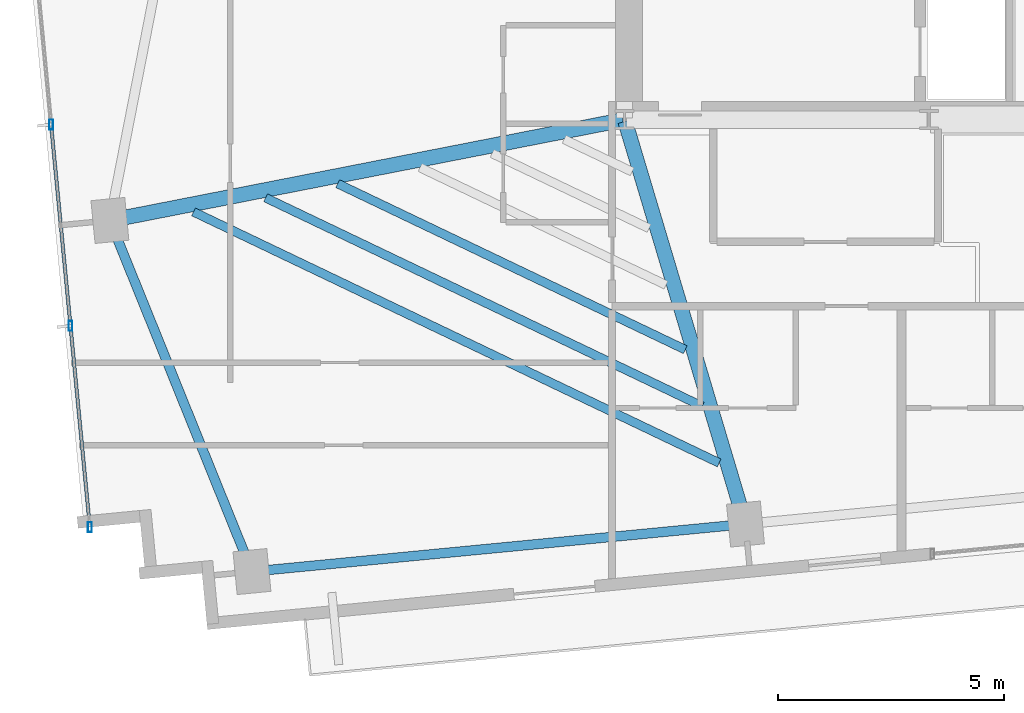
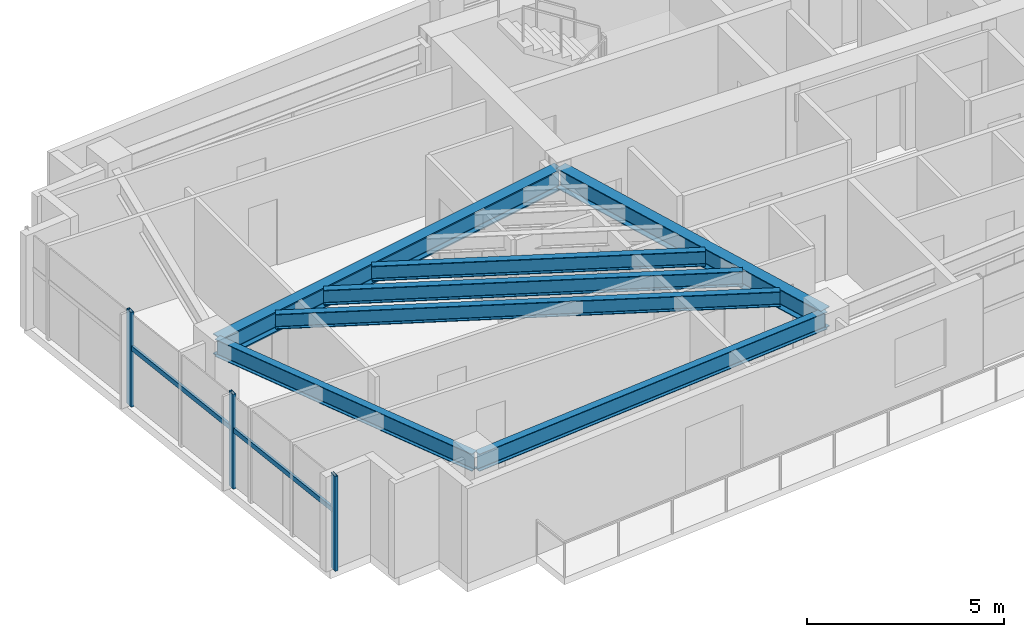
# One storey, part 2 of 18: 7 beams, 5 members, 1 element without a shape of its own.
"""IFC4 building model written with IfcOpenShell, lengths in metres."""

from ifc_helpers import new_model, si_unit, direction, frame, origin, origin_2d, place, context, subcontext, project, spatial, hollow_rectangle, i_section, extrude, source, transform, mapped, material, material_profile, profile_set, type_object, type_shapes, element, aggregate, save


model = new_model("IFC4")

# Units and contexts
model_context = context("Model", 3, precision=1e-05, world=origin(), true_north=direction((0.0, 1.0)))
body_context = subcontext(model_context, "Body", "Model", "MODEL_VIEW")
ifc_project = project(units=[si_unit("LENGTHUNIT", "METRE"), si_unit("AREAUNIT", "SQUARE_METRE"), si_unit("VOLUMEUNIT", "CUBIC_METRE"), si_unit("PLANEANGLEUNIT", "RADIAN"), si_unit("MASSUNIT", "GRAM", prefix="KILO")], contexts=[model_context])

# Site, building, storey
site_placement = place(None, origin())
site = spatial("IfcSite", under=ifc_project, at=site_placement, CompositionType="ELEMENT")
building_placement = place(site_placement, origin())
building = spatial("IfcBuilding", under=site, at=building_placement, Name="Astriad Promenade Condominiums", CompositionType="ELEMENT")
storey_placement = place(building_placement, frame((0.0, 0.0, 192.199951171875)))
storey = spatial("IfcBuildingStorey", under=building, at=storey_placement, Name="L55", CompositionType="ELEMENT", Elevation=192.199951171875)

# Beams
ifc_material_1 = material(Name="Steel ASTM A992 Grade 50", Category="steel")
ifc_material_profile_1 = material_profile(ifc_material_1, i_section(OverallWidth=0.210693359375, OverallDepth=0.53955078125, WebThickness=0.01171875, FlangeThickness=0.018798828125, FilletRadius=0.0166015625, at=origin_2d()), Name="W21X73")
ifc_profile_set_1 = profile_set([ifc_material_profile_1], Name="Steel ASTM A992 Grade 50")
beam_type_1 = type_object("IfcBeamType", Name="STEEL SPANDREL BEAM W21X73", PredefinedType="SPANDREL", material=ifc_profile_set_1)
shared_shape_1 = source(origin(), body_context, "Body", "SweptSolid", [
    extrude(i_section(OverallWidth=0.210693359375, OverallDepth=0.53955078125, WebThickness=0.01171875, FlangeThickness=0.018798828125, FilletRadius=0.0166015625, at=origin_2d()), origin(), (0.0, 0.0, 1.0), 10.8701171875),
])
beam_1_placement = place(storey_placement, frame((18.209228515625, 7.421630859375, 2.670166015625), z_axis=(0.995394986184, 0.09585834069, 0.0), x_axis=(-0.09585834069, 0.995394986184, 0.0)))
element("IfcBeam", 1, at=beam_1_placement, inside=storey, type_object=beam_type_1, Name="Perimeter Spandrel Beam SP-S1-L55", PredefinedType="SPANDREL", context=body_context, shape_type="MappedRepresentation", body=[
    mapped(shared_shape_1, transform((0.0, 0.0, 0.0), scale=1.0)),
])
shared_shape_2 = source(origin(), body_context, "Body", "SweptSolid", [
    extrude(i_section(OverallWidth=0.210693359375, OverallDepth=0.53955078125, WebThickness=0.01171875, FlangeThickness=0.018798828125, FilletRadius=0.0166015625, at=origin_2d()), origin(), (0.0, 0.0, 1.0), 8.28564453125),
])
type_shapes(beam_type_1, [shared_shape_1, shared_shape_2])
beam_2_placement = place(storey_placement, frame((15.046875, 15.1357421875, 2.670166015625), z_axis=(0.375070987134, -0.926996092014, 0.0), x_axis=(0.926996092014, 0.375070987134, 0.0)))
element("IfcBeam", 2, at=beam_2_placement, inside=storey, type_object=beam_type_1, Name="Perimeter Spandrel Beam SP-W1-L55", PredefinedType="SPANDREL", context=body_context, shape_type="MappedRepresentation", body=[
    mapped(shared_shape_2, transform((0.0, 0.0, 0.0), scale=1.0)),
])
ifc_material_profile_2 = material_profile(ifc_material_1, i_section(OverallWidth=0.327392578125, OverallDepth=0.640625, WebThickness=0.01904296875, FlangeThickness=0.033935546875, FilletRadius=0.017822265625, at=origin_2d()), Name="W24X176")
ifc_profile_set_2 = profile_set([ifc_material_profile_2], Name="Steel ASTM A992 Grade 50")
beam_type_2 = type_object("IfcBeamType", Name="STEEL FLOOR GIRDER W24X176", PredefinedType="BEAM", material=ifc_profile_set_2)
shared_shape_3 = source(origin(), body_context, "Body", "SweptSolid", [
    extrude(i_section(OverallWidth=0.327392578125, OverallDepth=0.640625, WebThickness=0.01904296875, FlangeThickness=0.033935546875, FilletRadius=0.017822265625, at=origin_2d()), origin(), (0.0, 0.0, 1.0), 11.504150390625),
])
type_shapes(beam_type_2, [shared_shape_3])
beam_3_placement = place(storey_placement, frame((15.071044921875, 15.1806640625, 2.61962890625), z_axis=(0.981346028441, 0.192249765833, 0.0), x_axis=(-0.192249765833, 0.981346028441, 0.0)))
element("IfcBeam", 3, at=beam_3_placement, inside=storey, type_object=beam_type_2, Name="Primary Floor Girder PG-WM-L55", PredefinedType="BEAM", context=body_context, shape_type="MappedRepresentation", body=[
    mapped(shared_shape_3, transform((0.0, 0.0, 0.0), scale=1.0)),
])
ifc_material_profile_3 = material_profile(ifc_material_1, i_section(OverallWidth=0.326416015625, OverallDepth=0.621826171875, WebThickness=0.015380859375, FlangeThickness=0.0244140625, FilletRadius=0.017822265625, at=origin_2d()), Name="W24X131")
ifc_profile_set_3 = profile_set([ifc_material_profile_3], Name="Steel ASTM A992 Grade 50")
beam_type_3 = type_object("IfcBeamType", Name="STEEL FLOOR GIRDER W24X131", PredefinedType="BEAM", material=ifc_profile_set_3)
shared_shape_4 = source(origin(), body_context, "Body", "SweptSolid", [
    extrude(i_section(OverallWidth=0.326416015625, OverallDepth=0.621826171875, WebThickness=0.015380859375, FlangeThickness=0.0244140625, FilletRadius=0.017822265625, at=origin_2d()), origin(), (0.0, 0.0, 1.0), 9.242919921875),
])
type_shapes(beam_type_3, [shared_shape_4])
beam_4_placement = place(storey_placement, frame((29.0576171875, 8.505615234375, 2.629150390625), z_axis=(-0.286269354745, 0.958149182818, 0.0), x_axis=(-0.958149182818, -0.286269354745, 0.0)))
element("IfcBeam", 4, at=beam_4_placement, inside=storey, type_object=beam_type_3, Name="Primary Floor Girder PG-W2-L55", PredefinedType="BEAM", context=body_context, shape_type="MappedRepresentation", body=[
    mapped(shared_shape_4, transform((0.0, 0.0, 0.0), scale=1.0)),
])
ifc_material_profile_4 = material_profile(ifc_material_1, i_section(OverallWidth=0.19287109375, OverallDepth=0.466064453125, WebThickness=0.011474609375, FlangeThickness=0.01904296875, FilletRadius=0.01513671875, at=origin_2d()), Name="W18X65")
ifc_profile_set_4 = profile_set([ifc_material_profile_4], Name="Steel ASTM A992 Grade 50")
beam_type_4 = type_object("IfcBeamType", Name="STEEL FLOOR JOIST W18X65", PredefinedType="JOIST", material=ifc_profile_set_4)
shared_shape_5 = source(origin(), body_context, "Body", "SweptSolid", [
    extrude(i_section(OverallWidth=0.19287109375, OverallDepth=0.466064453125, WebThickness=0.011474609375, FlangeThickness=0.01904296875, FilletRadius=0.01513671875, at=origin_2d()), origin(), (0.0, 0.0, 1.0), 12.864013671875),
])
beam_5_placement = place(storey_placement, frame((16.8798828125, 15.362060546875, 2.70703125), z_axis=(0.902332932985, -0.431039763886, 0.0), x_axis=(0.431039763886, 0.902332932985, 0.0)))
element("IfcBeam", 5, at=beam_5_placement, inside=storey, type_object=beam_type_4, Name="Secondary Composite Floor Joist JW1-1-L55", PredefinedType="JOIST", context=body_context, shape_type="MappedRepresentation", body=[
    mapped(shared_shape_5, transform((0.0, 0.0, 0.0), scale=1.0)),
])
shared_shape_6 = source(origin(), body_context, "Body", "SweptSolid", [
    extrude(i_section(OverallWidth=0.19287109375, OverallDepth=0.466064453125, WebThickness=0.011474609375, FlangeThickness=0.01904296875, FilletRadius=0.01513671875, at=origin_2d()), origin(), (0.0, 0.0, 1.0), 10.686279296875),
])
beam_6_placement = place(storey_placement, frame((18.471435546875, 15.673828125, 2.70703125), z_axis=(0.902342124644, -0.431020521661, 0.0), x_axis=(0.431020521661, 0.902342124644, 0.0)))
element("IfcBeam", 6, at=beam_6_placement, inside=storey, type_object=beam_type_4, Name="Secondary Composite Floor Joist JW1-2-L55", PredefinedType="JOIST", context=body_context, shape_type="MappedRepresentation", body=[
    mapped(shared_shape_6, transform((0.0, 0.0, 0.0), scale=1.0)),
])
shared_shape_7 = source(origin(), body_context, "Body", "SweptSolid", [
    extrude(i_section(OverallWidth=0.19287109375, OverallDepth=0.466064453125, WebThickness=0.011474609375, FlangeThickness=0.01904296875, FilletRadius=0.01513671875, at=origin_2d()), origin(), (0.0, 0.0, 1.0), 8.508056640625),
])
type_shapes(beam_type_4, [shared_shape_5, shared_shape_6, shared_shape_7])
beam_7_placement = place(storey_placement, frame((20.06298828125, 15.985595703125, 2.70703125), z_axis=(0.902339530667, -0.431025952113, 0.0), x_axis=(0.431025952113, 0.902339530667, 0.0)))
element("IfcBeam", 7, at=beam_7_placement, inside=storey, type_object=beam_type_4, Name="Secondary Composite Floor Joist JW1-3-L55", PredefinedType="JOIST", context=body_context, shape_type="MappedRepresentation", body=[
    mapped(shared_shape_7, transform((0.0, 0.0, 0.0), scale=1.0)),
])

# Curtain wall, members
ifc_material_2 = material(Name="Anodised aluminium Black Dark Glass Unitised", Category="aluminium")
curtain_wall_type = type_object("IfcCurtainWallType", Name="CW-B34-DARK", PredefinedType="USERDEFINED", material=ifc_material_2)
curtain_wall_placement = place(storey_placement, origin())
curtain_wall = element("IfcCurtainWall", 8, at=curtain_wall_placement, inside=storey, type_object=curtain_wall_type, Name="CW-L55-W", ObjectType="UNITISED_CURTAIN_WALL", PredefinedType="USERDEFINED")
ifc_material_3 = material(Name="Anodised aluminium 6063-T6 Black", Category="aluminium")
ifc_material_profile_5 = material_profile(ifc_material_3, hollow_rectangle(XDim=0.0849609375, YDim=0.219970703125, WallThickness=0.0048828125, at=origin_2d()), Name="ALU-MUL-85X220")
ifc_profile_set_5 = profile_set([ifc_material_profile_5], Name="Anodised aluminium 6063-T6 Black")
member_type_1 = type_object("IfcMemberType", Name="MUL-ALU-MUL-85X220", PredefinedType="MULLION", material=ifc_profile_set_5)
shared_shape_8 = source(origin(), body_context, "Body", "SweptSolid", [
    extrude(hollow_rectangle(XDim=0.0849609375, YDim=0.219970703125, WallThickness=0.0048828125, at=origin_2d()), origin(), (0.0, 0.0, 1.0), 2.93994140625),
])
type_shapes(member_type_1, [shared_shape_8])
member_1_placement = place(storey_placement, frame((14.589111328125, 8.3994140625, 0.0), z_axis=(0.0, 0.0, 1.0), x_axis=(1.0, 0.0, 0.0)))
member_1 = element("IfcMember", 9, at=member_1_placement, type_object=member_type_1, Name="CW-L55-W-MUL-00", PredefinedType="MULLION", context=body_context, shape_type="MappedRepresentation", body=[
    mapped(shared_shape_8, transform((0.0, 0.0, 0.0), scale=1.0)),
])
member_2_placement = place(storey_placement, frame((14.160888671875, 12.845458984375, 0.0), z_axis=(0.0, 0.0, 1.0), x_axis=(1.0, 0.0, 0.0)))
member_2 = element("IfcMember", 10, at=member_2_placement, type_object=member_type_1, Name="CW-L55-W-MUL-01", PredefinedType="MULLION", context=body_context, shape_type="MappedRepresentation", body=[
    mapped(shared_shape_8, transform((0.0, 0.0, 0.0), scale=1.0)),
])
member_3_placement = place(storey_placement, frame((13.732666015625, 17.29150390625, 0.0), z_axis=(0.0, 0.0, 1.0), x_axis=(1.0, 0.0, 0.0)))
member_3 = element("IfcMember", 11, at=member_3_placement, type_object=member_type_1, Name="CW-L55-W-MUL-02", PredefinedType="MULLION", context=body_context, shape_type="MappedRepresentation", body=[
    mapped(shared_shape_8, transform((0.0, 0.0, 0.0), scale=1.0)),
])
ifc_material_profile_6 = material_profile(ifc_material_3, hollow_rectangle(XDim=0.074951171875, YDim=0.14990234375, WallThickness=0.004150390625, at=origin_2d()), Name="ALU-TRN-75X150")
ifc_profile_set_6 = profile_set([ifc_material_profile_6], Name="Anodised aluminium 6063-T6 Black")
member_type_2 = type_object("IfcMemberType", Name="TRN-ALU-TRN-75X150", PredefinedType="USERDEFINED", material=ifc_profile_set_6)
shared_shape_9 = source(origin(), body_context, "Body", "SweptSolid", [
    extrude(hollow_rectangle(XDim=0.074951171875, YDim=0.14990234375, WallThickness=0.004150390625, at=origin_2d()), origin(), (0.0, 0.0, 1.0), 4.466552734375),
])
type_shapes(member_type_2, [shared_shape_9])
member_4_placement = place(storey_placement, frame((14.589111328125, 8.3994140625, 1.82275390625), z_axis=(-0.095871755514, 0.995393694221, 0.0), x_axis=(-0.995393694221, -0.095871755514, 0.0)))
member_4 = element("IfcMember", 12, at=member_4_placement, type_object=member_type_2, Name="CW-L55-W-TRN-00-0", ObjectType="TRANSOM", PredefinedType="USERDEFINED", context=body_context, shape_type="MappedRepresentation", body=[
    mapped(shared_shape_9, transform((0.0, 0.0, 0.0), scale=1.0)),
])
member_5_placement = place(storey_placement, frame((14.160888671875, 12.845458984375, 1.82275390625), z_axis=(-0.095871755514, 0.995393694221, 0.0), x_axis=(-0.995393694221, -0.095871755514, 0.0)))
member_5 = element("IfcMember", 13, at=member_5_placement, type_object=member_type_2, Name="CW-L55-W-TRN-01-0", ObjectType="TRANSOM", PredefinedType="USERDEFINED", context=body_context, shape_type="MappedRepresentation", body=[
    mapped(shared_shape_9, transform((0.0, 0.0, 0.0), scale=1.0)),
])
aggregate(curtain_wall, [member_1, member_2, member_3, member_4, member_5])

save(model, "model.ifc")
